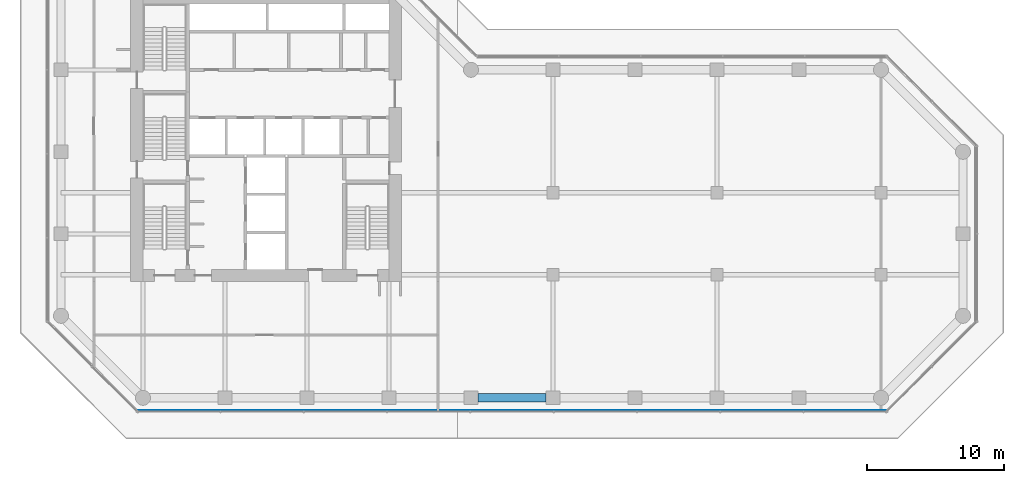
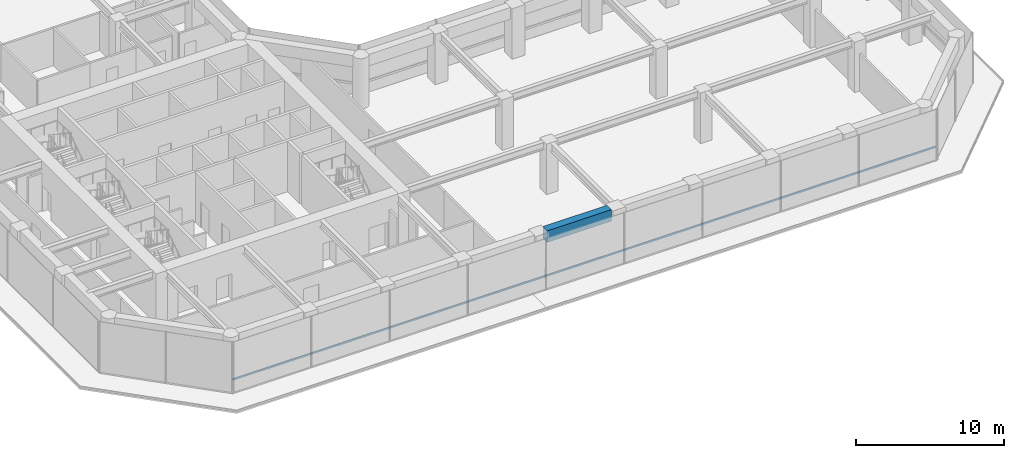
# One storey, part 6 of 24: 1 beam, 1 member, 1 element without a shape of its own.
"""IFC4 building model written with IfcOpenShell, lengths in metres."""

from ifc_helpers import new_model, si_unit, direction, frame, origin, origin_2d, place, context, subcontext, project, spatial, rectangle, extrude, material, layer, layer_set, material_profile, profile_set, type_object, element, aggregate, save


model = new_model("IFC4")

# Units and contexts
model_context = context("Model", 3, precision=1e-05, world=origin(), true_north=direction((0.0, 1.0)))
body_context = subcontext(model_context, "Body", "Model", "MODEL_VIEW")
ifc_project = project(units=[si_unit("LENGTHUNIT", "METRE"), si_unit("AREAUNIT", "SQUARE_METRE"), si_unit("VOLUMEUNIT", "CUBIC_METRE"), si_unit("PLANEANGLEUNIT", "RADIAN"), si_unit("MASSUNIT", "GRAM", prefix="KILO")], contexts=[model_context])

# Site, building, storey
site_placement = place(None, origin())
site = spatial("IfcSite", under=ifc_project, at=site_placement, CompositionType="ELEMENT")
building_placement = place(site_placement, origin())
building = spatial("IfcBuilding", under=site, at=building_placement, Name="Welwitschia Terrace Campus", CompositionType="ELEMENT")
storey_placement = place(building_placement, frame((0.0, 0.0, 24.5)))
storey = spatial("IfcBuildingStorey", under=building, at=storey_placement, Name="L05", CompositionType="ELEMENT", Elevation=24.5)

# Beam
ifc_material_1 = material(Name="Concrete C60/75", Category="concrete")
ifc_material_profile_1 = material_profile(ifc_material_1, rectangle(XDim=0.60009765625, YDim=0.949951171875, at=origin_2d()))
ifc_profile_set_1 = profile_set([ifc_material_profile_1], Name="Concrete C60/75")
beam_type = type_object("IfcBeamType", Name="Ring spandrel 600x950", PredefinedType="SPANDREL", material=ifc_profile_set_1)
beam_placement = place(storey_placement, frame((30.50048828125, -4.0, 3.675048828125), z_axis=(1.0, 0.0, 0.0), x_axis=(0.0, 1.0, 0.0)))
element("IfcBeam", 1, at=beam_placement, inside=storey, type_object=beam_type, Name="Spandrel SP1", PredefinedType="SPANDREL", context=body_context, shape_type="SweptSolid", body=[
    extrude(rectangle(XDim=0.60009765625, YDim=0.949951171875, at=origin_2d()), origin(), (0.0, 0.0, 1.0), 4.9990234375),
])

# Curtain wall, member
ifc_material_2 = material(Name="Bronze anodised aluminium", Category="aluminium")
ifc_layer = layer(ifc_material_2, 0.1201171875)
ifc_layer_set = layer_set([ifc_layer], Name="Bronze anodised aluminium")
curtain_wall_type = type_object("IfcCurtainWallType", Name="Curtain wall CW2 tower 6000", PredefinedType="NOTDEFINED", material=ifc_layer_set)
curtain_wall_placement = place(storey_placement, origin())
curtain_wall = element("IfcCurtainWall", 2, at=curtain_wall_placement, inside=storey, type_object=curtain_wall_type, Name="CW L05.1.0", PredefinedType="NOTDEFINED")
ifc_material_3 = material(Name="Bronze anodised aluminium", Category="aluminium")
ifc_material_profile_2 = material_profile(ifc_material_3, rectangle(XDim=0.06005859375, YDim=0.14990234375, at=origin_2d()))
ifc_profile_set_2 = profile_set([ifc_material_profile_2], Name="Bronze anodised aluminium")
member_type = type_object("IfcMemberType", Name="Transom 60x150", PredefinedType="USERDEFINED", material=ifc_profile_set_2)
member_placement = place(storey_placement, frame((5.637451171875, -4.929931640625, 1.0), z_axis=(1.0, 0.0, 0.0), x_axis=(0.0, 1.0, 0.0)))
member = element("IfcMember", 3, at=member_placement, type_object=member_type, Name="Transom L05.1.0", ObjectType="TRANSOM", PredefinedType="USERDEFINED", context=body_context, shape_type="SweptSolid", body=[
    extrude(rectangle(XDim=0.06005859375, YDim=0.14990234375, at=origin_2d()), origin(), (0.0, 0.0, 1.0), 54.72509765625),
])
aggregate(curtain_wall, [member])

save(model, "model.ifc")
